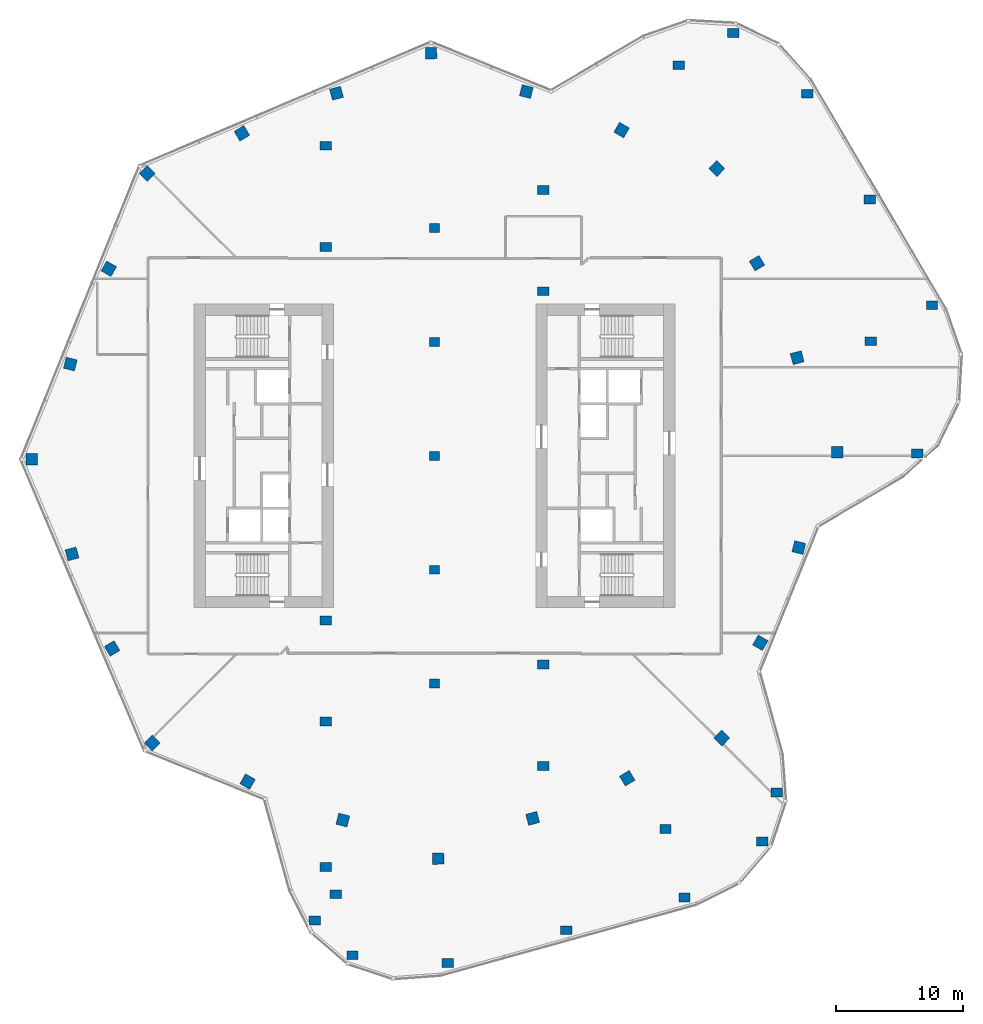
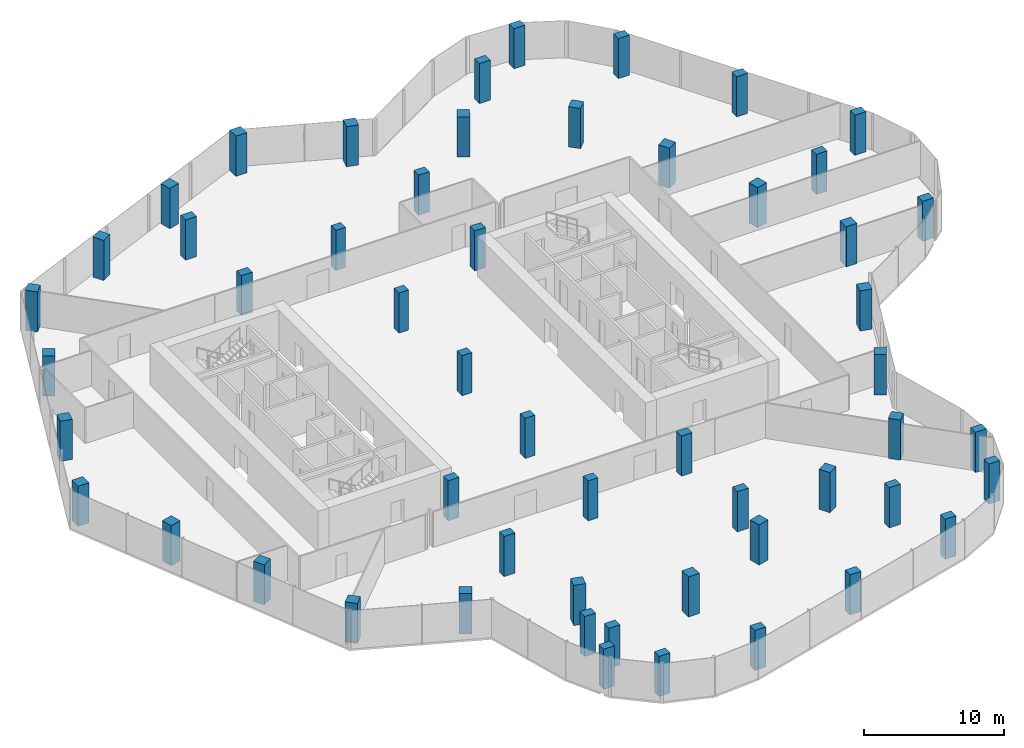
# One storey, part 1 of 15: 54 columns.
"""IFC4 building model written with IfcOpenShell, lengths in metres."""

import ifcopenshell
import ifcopenshell.guid

model = None  # the IFC model being written
_history = None  # IfcOwnerHistory: only IFC2X3 demands one
_inside = {}  # id of a spatial element -> (the spatial element, [elements in it])
_under = {}  # id of a project, library or spatial element -> (it, [spatial elements below it])
_declared = {}  # id of a project -> (the project, [libraries it declares])
_typed = {}  # id of a type object -> (the type object, [elements of that type])
_made_of = {}  # id of a material, layer set ... -> (it, [elements and type objects made of it])


def new_model(schema):
    """Start an empty IFC model of exactly this schema.

    Asked for "IFC4X3", IfcOpenShell would pick the latest addendum, in which some entities
    have other attributes; the version numbers below select the first issue.
    IFC2X3 requires an IfcOwnerHistory on every rooted entity: one is made here for all.
    """
    global model, _history
    if schema == "IFC4X3":
        model = ifcopenshell.file(schema_version=(4, 3, 0, 0))
    else:
        model = ifcopenshell.file(schema=schema)
    _inside.clear()
    _under.clear()
    _declared.clear()
    _typed.clear()
    _made_of.clear()
    _history = None
    if model.schema == "IFC2X3":
        org = make("IfcOrganization", Name="unknown")
        user = make(
            "IfcPersonAndOrganization",
            ThePerson=make("IfcPerson", FamilyName="unknown"),
            TheOrganization=org,
        )
        app = make(
            "IfcApplication",
            ApplicationDeveloper=org,
            Version="unknown",
            ApplicationFullName="unknown",
            ApplicationIdentifier="unknown",
        )
        _history = make(
            "IfcOwnerHistory",
            OwningUser=user,
            OwningApplication=app,
            ChangeAction="ADDED",
            CreationDate=0,
        )
    return model


def make(cls, **values):
    """One entity of the class cls with the attributes given. An attribute that is None is left unset."""
    return model.create_entity(
        cls, **{name: value for name, value in values.items() if value is not None}
    )


def rooted(cls, **values):
    """An entity with a GlobalId (a new one), such as an element, a storey or a relation."""
    return make(cls, GlobalId=ifcopenshell.guid.new(), OwnerHistory=_history, **values)


def si_unit(unit_type, name, prefix=None):
    """IfcSIUnit, for example si_unit("LENGTHUNIT", "METRE", prefix="MILLI")."""
    return make("IfcSIUnit", UnitType=unit_type, Prefix=prefix, Name=name)


def assignment(units):
    """IfcUnitAssignment: the units of a project."""
    return None if units is None else make("IfcUnitAssignment", Units=units)


def point(xyz):
    """IfcCartesianPoint."""
    return None if xyz is None else make("IfcCartesianPoint", Coordinates=xyz)


def direction(xyz):
    """IfcDirection."""
    return None if xyz is None else make("IfcDirection", DirectionRatios=xyz)


def frame(location, z_axis=None, x_axis=None):
    """IfcAxis2Placement3D, a coordinate frame: its origin and axes. An axis left out is left unset."""
    return make(
        "IfcAxis2Placement3D",
        Location=point(location),
        Axis=direction(z_axis),
        RefDirection=direction(x_axis),
    )


def frame_2d(location, x_axis=None):
    """IfcAxis2Placement2D, a coordinate frame in the plane: its origin and x axis."""
    return make(
        "IfcAxis2Placement2D", Location=point(location), RefDirection=direction(x_axis)
    )


def origin():
    """The frame at (0, 0, 0) with its axes left unset."""
    return frame((0.0, 0.0, 0.0))


def origin_2d():
    """The frame at (0, 0) in the plane with its x axis left unset."""
    return frame_2d((0.0, 0.0))


def place(relative_to, where):
    """IfcLocalPlacement: puts the frame where relative to a parent placement (None: the world)."""
    return make(
        "IfcLocalPlacement", PlacementRelTo=relative_to, RelativePlacement=where
    )


def context(
    kind, dimensions, precision=None, world=None, true_north=None, identifier=None
):
    """IfcGeometricRepresentationContext, for example the 3D "Model" context."""
    return make(
        "IfcGeometricRepresentationContext",
        ContextIdentifier=identifier,
        ContextType=kind,
        CoordinateSpaceDimension=dimensions,
        Precision=precision,
        WorldCoordinateSystem=world,
        TrueNorth=true_north,
    )


def subcontext(parent, identifier, kind, view, scale=None):
    """IfcGeometricRepresentationSubContext, for example "Body" below "Model"."""
    return make(
        "IfcGeometricRepresentationSubContext",
        ContextIdentifier=identifier,
        ContextType=kind,
        ParentContext=parent,
        TargetScale=scale,
        TargetView=view,
    )


def project(units=None, contexts=None):
    """IfcProject with its units and contexts."""
    return rooted(
        "IfcProject",
        Name="project",
        RepresentationContexts=contexts,
        UnitsInContext=assignment(units),
    )


def spatial(cls, under=None, at=None, **own):
    """A site, building, storey or space (cls), placed at a placement, below another one or the project."""
    s = rooted(cls, ObjectPlacement=at, **own)
    if under is not None:
        _under.setdefault(under.id(), (under, []))[1].append(s)
    return s


def profile(cls, at=None, kind="AREA", **sizes):
    """A parametric profile (cls). Its sizes go by their IFC names, for example OverallWidth=200.0."""
    return make(cls, ProfileType=kind, Position=at, **sizes)


def rectangle(**sizes):
    """IfcRectangleProfileDef."""
    return profile("IfcRectangleProfileDef", **sizes)


def extrude(swept, where, along, depth):
    """IfcExtrudedAreaSolid: the profile swept, set in the frame where, extruded along a direction by depth."""
    return make(
        "IfcExtrudedAreaSolid",
        SweptArea=swept,
        Position=where,
        ExtrudedDirection=direction(along),
        Depth=depth,
    )


def shape(context_of_items, identifier, shape_type, items):
    """IfcShapeRepresentation: the items that make up one representation, for example the "Body"."""
    return make(
        "IfcShapeRepresentation",
        ContextOfItems=context_of_items,
        RepresentationIdentifier=identifier,
        RepresentationType=shape_type,
        Items=items,
    )


def material(Name=None, Category=None):
    """IfcMaterial."""
    return make("IfcMaterial", Name=Name, Category=Category)


def material_profile(
    of_material, cross_section, Name=None, Category=None, Priority=None
):
    """IfcMaterialProfile: a cross section and its material."""
    return make(
        "IfcMaterialProfile",
        Name=Name,
        Material=of_material,
        Profile=cross_section,
        Priority=Priority,
        Category=Category,
    )


def profile_set(profiles, Name=None, composite=None):
    """IfcMaterialProfileSet."""
    return make(
        "IfcMaterialProfileSet",
        Name=Name,
        MaterialProfiles=profiles,
        CompositeProfile=composite,
    )


def made_of(thing, what):
    """Note that an element or type object is made of a material, layer set ...; save() writes the relation."""
    if what is not None:
        _made_of.setdefault(what.id(), (what, []))[1].append(thing)
    return thing


def type_object(cls, material=None, **own):
    """A type object (cls), such as IfcWallType, which elements share."""
    return made_of(rooted(cls, **own), material)


def element(
    cls,
    number,
    at=None,
    inside=None,
    cuts=None,
    type_object=None,
    material=None,
    context=None,
    identifier="Body",
    shape_type=None,
    held_by="IfcProductDefinitionShape",
    body=None,
    shapes=None,
    **own,
):
    """One element of the class cls, such as IfcWall. Its Tag is "e" and its number.

    at: its placement. inside: the storey or other place that contains it. cuts: it is an
    opening in that element (IfcRelVoidsElement). A single representation is given by context,
    identifier, shape_type and body (its items); several are given by shapes. held_by: the class
    of the entity that holds the representations. save() writes the other relations.
    """
    e = rooted(cls, Tag="e%d" % number, ObjectPlacement=at, **own)
    if body is not None:
        shapes = [shape(context, identifier, shape_type, body)]
    if shapes is not None:
        e.Representation = make(held_by, Representations=shapes)
    if inside is not None:
        _inside.setdefault(inside.id(), (inside, []))[1].append(e)
    if cuts is not None:
        rooted(
            "IfcRelVoidsElement", RelatingBuildingElement=cuts, RelatedOpeningElement=e
        )
    if type_object is not None:
        _typed.setdefault(type_object.id(), (type_object, []))[1].append(e)
    return made_of(e, material)


def aggregate(whole, parts):
    """IfcRelAggregates: a whole, such as a stair, and the parts it consists of."""
    return rooted("IfcRelAggregates", RelatingObject=whole, RelatedObjects=parts)


def save(model, path):
    """Write the relations noted so far, then the file.

    IfcRelAggregates (storeys below a building ...), IfcRelContainedInSpatialStructure (elements
    in a storey), IfcRelDefinesByType, IfcRelAssociatesMaterial and IfcRelDeclares: one each for
    every whole, place, type object, material and project.
    """
    for whole, parts in _under.values():
        aggregate(whole, parts)
    for where, things in _inside.values():
        rooted(
            "IfcRelContainedInSpatialStructure",
            RelatedElements=things,
            RelatingStructure=where,
        )
    for kind, things in _typed.values():
        rooted("IfcRelDefinesByType", RelatedObjects=things, RelatingType=kind)
    for what, things in _made_of.values():
        rooted("IfcRelAssociatesMaterial", RelatedObjects=things, RelatingMaterial=what)
    for by, libraries in _declared.values():
        rooted("IfcRelDeclares", RelatingContext=by, RelatedDefinitions=libraries)
    model.write(path)


model = new_model("IFC4")

# Units and contexts
model_context = context("Model", 3, precision=1e-05, world=origin(), true_north=direction((0.0, 1.0)))
body_context = subcontext(model_context, "Body", "Model", "MODEL_VIEW")
ifc_project = project(units=[si_unit("LENGTHUNIT", "METRE"), si_unit("AREAUNIT", "SQUARE_METRE"), si_unit("VOLUMEUNIT", "CUBIC_METRE"), si_unit("PLANEANGLEUNIT", "RADIAN"), si_unit("MASSUNIT", "GRAM", prefix="KILO")], contexts=[model_context])

# Site, building, storey
site_placement = place(None, origin())
site = spatial("IfcSite", under=ifc_project, at=site_placement, CompositionType="ELEMENT")
building_placement = place(site_placement, origin())
building = spatial("IfcBuilding", under=site, at=building_placement, Name="Orlundy Tower", CompositionType="ELEMENT")
storey_placement = place(building_placement, frame((0.0, 0.0, 278.89990234375)))
storey = spatial("IfcBuildingStorey", under=building, at=storey_placement, Name="L74", CompositionType="ELEMENT", Elevation=278.89990234375)

# Columns
ifc_material_1 = material(Name="Concrete C50/60", Category="concrete")
ifc_material_profile_1 = material_profile(ifc_material_1, rectangle(XDim=0.800048828125, YDim=0.699951171875, at=origin_2d()), Name="RC800X700")
ifc_profile_set_1 = profile_set([ifc_material_profile_1], Name="Concrete C50/60")
column_type_1 = type_object("IfcColumnType", Name="RC COLUMN RC800X700 C50/60", PredefinedType="COLUMN", material=ifc_profile_set_1)
for number, where, z_axis, x_axis, name in (
    (1, (0.0, -18.0, 0.0), (0.0, 0.0, 1.0), (1.0, 0.0, 0.0), "Column C-M1 L74"),
    (2, (0.0, -9.0, 0.0), (0.0, 0.0, 1.0), (1.0, 0.0, 0.0), "Column C-M2 L74"),
    (3, (0.0, 0.0, 0.0), (0.0, 0.0, 1.0), (1.0, 0.0, 0.0), "Column C-M3 L74"),
    (4, (0.0, 9.0, 0.0), (0.0, 0.0, 1.0), (1.0, 0.0, 0.0), "Column C-M4 L74"),
    (5, (0.0, 18.0, 0.0), (0.0, 0.0, 1.0), (1.0, 0.0, 0.0), "Column C-M5 L74"),
):
    element("IfcColumn", number, at=place(storey_placement, frame(where, z_axis=z_axis, x_axis=x_axis)), inside=storey, type_object=column_type_1, Name=name, PredefinedType="COLUMN", context=body_context, shape_type="SweptSolid", body=[
        extrude(rectangle(XDim=0.800048828125, YDim=0.699951171875, at=origin_2d()), origin(), (0.0, 0.0, 1.0), 3.5),
    ])
ifc_material_2 = material(Name="Concrete C50/60", Category="concrete")
ifc_material_profile_2 = material_profile(ifc_material_2, rectangle(XDim=0.89990234375, YDim=0.699951171875, at=origin_2d()), Name="RC900X700")
ifc_profile_set_2 = profile_set([ifc_material_profile_2], Name="Concrete C50/60")
column_type_2 = type_object("IfcColumnType", Name="RC COLUMN RC900X700 C50/60", PredefinedType="COLUMN", material=ifc_profile_set_2)
for number, where, z_axis, x_axis, name in (
    (6, (38.1279296875, 0.195068359375, 0.0), (0.0, 0.0, 1.0), (1.0, 0.0, 0.0), "Column C-A1-1 L74"),
    (7, (39.302001953125, 11.89306640625, 0.0), (0.0, 0.0, 1.0), (1.0, 0.0, 0.0), "Column C-A2-5 L74"),
    (8, (34.47705078125, 9.051025390625, 0.0), (0.0, 0.0, 1.0), (1.0, 0.0, 0.0), "Column C-A2-6 L74"),
    (9, (34.37890625, 20.2509765625, 0.0), (0.0, 0.0, 1.0), (1.0, 0.0, 0.0), "Column C-A3-5 L74"),
    (10, (29.4560546875, 28.60888671875, 0.0), (0.0, 0.0, 1.0), (1.0, 0.0, 0.0), "Column C-A4-5 L74"),
    (11, (23.610107421875, 33.39697265625, 0.0), (0.0, 0.0, 1.0), (1.0, 0.0, 0.0), "Column C-A5-5 L74"),
    (12, (19.302001953125, 30.860107421875, 0.0), (0.0, 0.0, 1.0), (1.0, 0.0, 0.0), "Column C-A5-6 L74"),
    (13, (-9.468017578125, -36.7080078125, 0.0), (0.0, 0.0, 1.0), (1.0, 0.0, 0.0), "Column C-B1-1 L74"),
    (14, (-6.48388671875, -39.4609375, 0.0), (0.0, 0.0, 1.0), (1.0, 0.0, 0.0), "Column C-B1-5 L74"),
    (15, (-7.820068359375, -34.64306640625, 0.0), (0.0, 0.0, 1.0), (1.0, 0.0, 0.0), "Column C-B1-6 L74"),
    (16, (1.048095703125, -40.076904296875, 0.0), (0.0, 0.0, 1.0), (1.0, 0.0, 0.0), "Column C-B2-5 L74"),
    (17, (10.39599609375, -37.485107421875, 0.0), (0.0, 0.0, 1.0), (1.0, 0.0, 0.0), "Column C-B3-5 L74"),
    (18, (19.742919921875, -34.89306640625, 0.0), (0.0, 0.0, 1.0), (1.0, 0.0, 0.0), "Column C-B4-5 L74"),
    (19, (18.24609375, -29.4970703125, 0.0), (0.0, 0.0, 1.0), (1.0, 0.0, 0.0), "Column C-B4-6 L74"),
    (20, (27.02197265625, -26.589111328125, 0.0), (0.0, 0.0, 1.0), (1.0, 0.0, 0.0), "Column C-B5-1 L74"),
    (21, (25.881103515625, -30.485107421875, 0.0), (0.0, 0.0, 1.0), (1.0, 0.0, 0.0), "Column C-B5-5 L74"),
    (22, (8.60009765625, -24.5, 0.0), (0.0, 0.0, 1.0), (1.0, 0.0, 0.0), "Column C-SE2 L74"),
    (23, (8.60009765625, -16.5, 0.0), (0.0, 0.0, 1.0), (1.0, 0.0, 0.0), "Column C-SE3 L74"),
    (24, (8.60009765625, 13.0, 0.0), (0.0, 0.0, 1.0), (1.0, 0.0, 0.0), "Column C-SE4 L74"),
    (25, (8.60009765625, 21.0, 0.0), (0.0, 0.0, 1.0), (1.0, 0.0, 0.0), "Column C-SE5 L74"),
    (26, (-8.60009765625, 24.5, 0.0), (0.0, 0.0, 1.0), (1.0, 0.0, 0.0), "Column C-SW1 L74"),
    (27, (-8.60009765625, 16.5, 0.0), (0.0, 0.0, 1.0), (1.0, 0.0, 0.0), "Column C-SW2 L74"),
    (28, (-8.60009765625, -13.0, 0.0), (0.0, 0.0, 1.0), (1.0, 0.0, 0.0), "Column C-SW3 L74"),
    (29, (-8.60009765625, -21.0, 0.0), (0.0, 0.0, 1.0), (1.0, 0.0, 0.0), "Column C-SW4 L74"),
    (30, (-8.60009765625, -32.5, 0.0), (0.0, 0.0, 1.0), (1.0, 0.0, 0.0), "Column C-SW5 L74"),
):
    element("IfcColumn", number, at=place(storey_placement, frame(where, z_axis=z_axis, x_axis=x_axis)), inside=storey, type_object=column_type_2, Name=name, PredefinedType="COLUMN", context=body_context, shape_type="SweptSolid", body=[
        extrude(rectangle(XDim=0.89990234375, YDim=0.699951171875, at=origin_2d()), origin(), (0.0, 0.0, 1.0), 3.5),
    ])
ifc_material_3 = material(Name="Concrete C50/60", Category="concrete")
ifc_material_profile_3 = material_profile(ifc_material_3, rectangle(XDim=0.89990234375, YDim=0.89990234375, at=origin_2d()), Name="RC900X900")
ifc_profile_set_3 = profile_set([ifc_material_profile_3], Name="Concrete C50/60")
column_type_3 = type_object("IfcColumnType", Name="RC COLUMN RC900X900 C50/60", PredefinedType="COLUMN", material=ifc_profile_set_3)
for number, where, z_axis, x_axis, name in (
    (31, (-0.278076171875, 31.821044921875, 0.0), (0.0, 0.0, 1.0), (-0.008743988125, 0.999961770605, 0.0), "Column C-H01 L74"),
    (32, (7.25, 28.780029296875, 0.0), (0.0, 0.0, 1.0), (0.244275126238, 0.969705967137, 0.0), "Column C-H02 L74"),
    (33, (14.777099609375, 25.739013671875, 0.0), (0.0, 0.0, 1.0), (0.49789754642, 0.867235857924, 0.0), "Column C-H03 L74"),
    (34, (22.304931640625, 22.697021484375, 0.0), (0.0, 0.0, 1.0), (0.700921712762, 0.713238215871, 0.0), "Column C-H04 L74"),
    (35, (25.47705078125, 15.22412109375, 0.0), (0.0, 0.0, 1.0), (0.858414263358, 0.512957066881, 0.0), "Column C-H05 L74"),
    (36, (28.64892578125, 7.7509765625, 0.0), (0.0, 0.0, 1.0), (0.965295087436, 0.261161624617, 0.0), "Column C-H06 L74"),
    (37, (31.821044921875, 0.278076171875, 0.0), (0.0, 0.0, 1.0), (0.999961770605, 0.008743988125, 0.0), "Column C-H07 L74"),
    (38, (28.780029296875, -7.25, 0.0), (0.0, 0.0, 1.0), (0.969705967137, -0.244275126238, 0.0), "Column C-H08 L74"),
    (39, (25.739013671875, -14.777099609375, 0.0), (0.0, 0.0, 1.0), (0.867235857924, -0.49789754642, 0.0), "Column C-H09 L74"),
    (40, (22.697021484375, -22.304931640625, 0.0), (0.0, 0.0, 1.0), (0.713238215871, -0.700921712762, 0.0), "Column C-H10 L74"),
    (41, (15.22412109375, -25.47705078125, 0.0), (0.0, 0.0, 1.0), (0.512957066881, -0.858414263358, 0.0), "Column C-H11 L74"),
    (42, (7.7509765625, -28.64892578125, 0.0), (0.0, 0.0, 1.0), (0.261161624617, -0.965295087436, 0.0), "Column C-H12 L74"),
    (43, (0.278076171875, -31.821044921875, 0.0), (0.0, 0.0, 1.0), (0.008743988125, -0.999961770605, 0.0), "Column C-H13 L74"),
    (44, (-7.25, -28.780029296875, 0.0), (0.0, 0.0, 1.0), (-0.244275126238, -0.969705967137, 0.0), "Column C-H14 L74"),
    (45, (-14.777099609375, -25.739013671875, 0.0), (0.0, 0.0, 1.0), (-0.49789754642, -0.867235857924, 0.0), "Column C-H15 L74"),
    (46, (-22.304931640625, -22.697021484375, 0.0), (0.0, 0.0, 1.0), (-0.700921712762, -0.713238215871, 0.0), "Column C-H16 L74"),
    (47, (-25.47705078125, -15.22412109375, 0.0), (0.0, 0.0, 1.0), (-0.858414263358, -0.512957066881, 0.0), "Column C-H17 L74"),
    (48, (-28.64892578125, -7.7509765625, 0.0), (0.0, 0.0, 1.0), (-0.965295087436, -0.261161624617, 0.0), "Column C-H18 L74"),
    (49, (-31.821044921875, -0.278076171875, 0.0), (0.0, 0.0, 1.0), (-0.999961770605, -0.008743988125, 0.0), "Column C-H19 L74"),
    (50, (-28.780029296875, 7.25, 0.0), (0.0, 0.0, 1.0), (-0.969705967137, 0.244275126238, 0.0), "Column C-H20 L74"),
    (51, (-25.739013671875, 14.777099609375, 0.0), (0.0, 0.0, 1.0), (-0.867235857924, 0.49789754642, 0.0), "Column C-H21 L74"),
    (52, (-22.697021484375, 22.304931640625, 0.0), (0.0, 0.0, 1.0), (-0.713238215871, 0.700921712762, 0.0), "Column C-H22 L74"),
    (53, (-15.22412109375, 25.47705078125, 0.0), (0.0, 0.0, 1.0), (-0.512957066881, 0.858414263358, 0.0), "Column C-H23 L74"),
    (54, (-7.7509765625, 28.64892578125, 0.0), (0.0, 0.0, 1.0), (-0.261161624617, 0.965295087436, 0.0), "Column C-H24 L74"),
):
    element("IfcColumn", number, at=place(storey_placement, frame(where, z_axis=z_axis, x_axis=x_axis)), inside=storey, type_object=column_type_3, Name=name, PredefinedType="COLUMN", context=body_context, shape_type="SweptSolid", body=[
        extrude(rectangle(XDim=0.89990234375, YDim=0.89990234375, at=origin_2d()), origin(), (0.0, 0.0, 1.0), 3.5),
    ])

save(model, "model.ifc")
